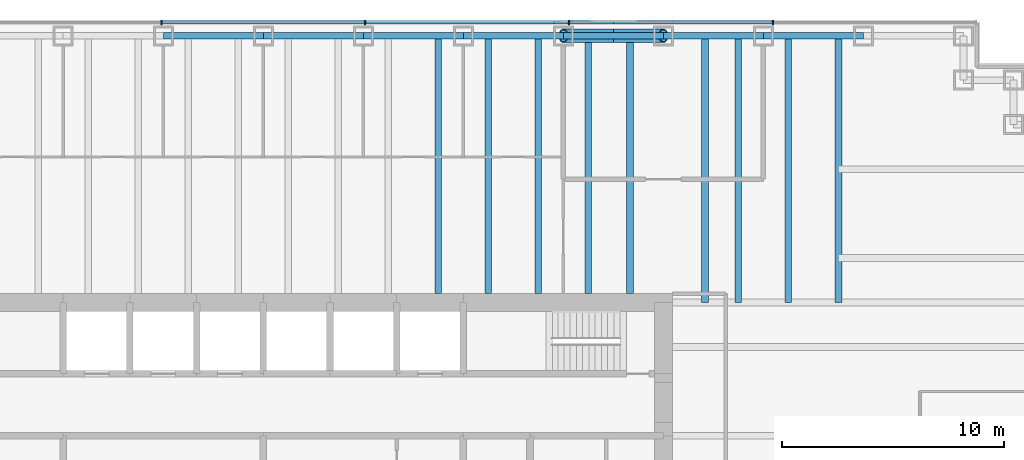
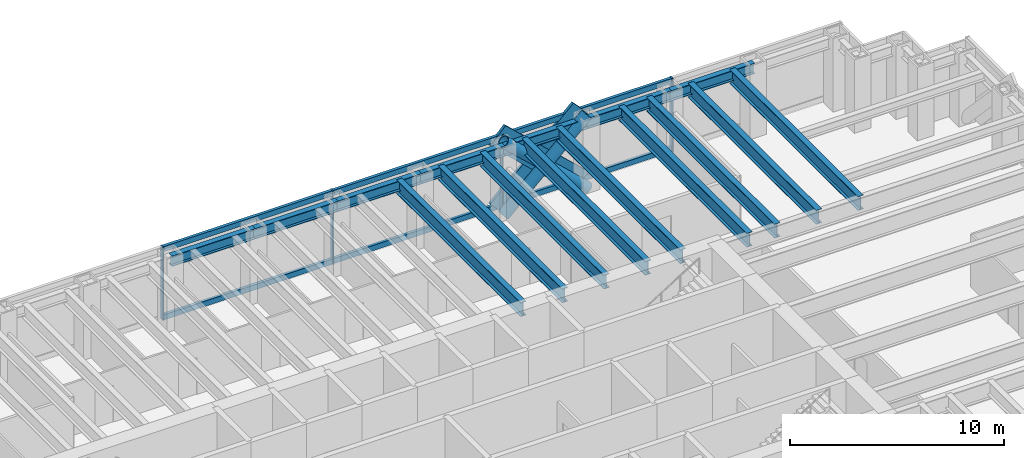
# One storey, part 6 of 14: 16 beams, 14 members, 1 element without a shape of its own.
"""IFC4 building model written with IfcOpenShell, lengths in metres."""

from ifc_helpers import new_model, si_unit, direction, frame, origin, origin_2d, place, context, subcontext, project, spatial, rectangle, hollow_circle, i_section, extrude, material, material_profile, profile_set, type_object, element, aggregate, save


model = new_model("IFC4")

# Units and contexts
model_context = context("Model", 3, precision=1e-05, world=origin(), true_north=direction((0.0, 1.0)))
body_context = subcontext(model_context, "Body", "Model", "MODEL_VIEW")
ifc_project = project(units=[si_unit("LENGTHUNIT", "METRE"), si_unit("AREAUNIT", "SQUARE_METRE"), si_unit("VOLUMEUNIT", "CUBIC_METRE"), si_unit("PLANEANGLEUNIT", "RADIAN"), si_unit("MASSUNIT", "GRAM", prefix="KILO")], contexts=[model_context])

# Site, building, storey
site_placement = place(None, origin())
site = spatial("IfcSite", under=ifc_project, at=site_placement, CompositionType="ELEMENT")
building_placement = place(site_placement, origin())
building = spatial("IfcBuilding", under=site, at=building_placement, Name="Rheinbord Bourse Tower", CompositionType="ELEMENT")
storey_placement = place(building_placement, frame((0.0, 0.0, 198.39990234375)))
storey = spatial("IfcBuildingStorey", under=building, at=storey_placement, Name="L44", CompositionType="ELEMENT", Elevation=198.39990234375)

# Curtain wall, members
ifc_material_1 = material(Name="Dark glass and black aluminium", Category="aluminium")
curtain_wall_type = type_object("IfcCurtainWallType", Name="CW2 DARK GLASS CURTAIN WALL", PredefinedType="USERDEFINED", material=ifc_material_1)
curtain_wall_placement = place(storey_placement, origin())
curtain_wall = element("IfcCurtainWall", 1, at=curtain_wall_placement, inside=storey, type_object=curtain_wall_type, Name="Curtain wall CW2 N L44", ObjectType="UNITISED CURTAIN WALL", PredefinedType="USERDEFINED")
ifc_material_2 = material(Name="Black anodised aluminium", Category="aluminium")
ifc_material_profile_1 = material_profile(ifc_material_2, rectangle(XDim=0.159912109375, YDim=1.2099609375, at=origin_2d()), Name="CW2 DIAGONAL MULLION 1210x160")
ifc_profile_set_1 = profile_set([ifc_material_profile_1], Name="Black anodised aluminium")
member_type_1 = type_object("IfcMemberType", Name="CW2 BLACK DIAGONAL MULLION", PredefinedType="USERDEFINED", material=ifc_profile_set_1)
member_1_placement = place(storey_placement, frame((54.0, 44.60009765625, 0.0), z_axis=(-0.731039441158, 0.0, 0.682335207557), x_axis=(0.0, -1.0, 0.0)))
member_1 = element("IfcMember", 2, at=member_1_placement, type_object=member_type_1, Name="CW2 diagonal mullion a", ObjectType="DIAGONAL MULLION", PredefinedType="USERDEFINED", context=body_context, shape_type="SweptSolid", body=[
    extrude(rectangle(XDim=0.159912109375, YDim=1.2099609375, at=origin_2d()), origin(), (0.0, 0.0, 1.0), 6.155517578125),
])
member_2_placement = place(storey_placement, frame((49.5, 44.60009765625, 0.0), z_axis=(0.731039441158, 0.0, 0.682335207557), x_axis=(0.0, 1.0, 0.0)))
member_2 = element("IfcMember", 3, at=member_2_placement, type_object=member_type_1, Name="CW2 diagonal mullion d", ObjectType="DIAGONAL MULLION", PredefinedType="USERDEFINED", context=body_context, shape_type="SweptSolid", body=[
    extrude(rectangle(XDim=0.159912109375, YDim=1.2099609375, at=origin_2d()), origin(), (0.0, 0.0, 1.0), 6.155517578125),
])
ifc_material_3 = material(Name="Black anodised aluminium", Category="aluminium")
ifc_material_profile_2 = material_profile(ifc_material_3, rectangle(XDim=0.219970703125, YDim=0.070068359375, at=origin_2d()), Name="CW2 MULLION 70x220")
ifc_profile_set_2 = profile_set([ifc_material_profile_2], Name="Black anodised aluminium")
member_type_2 = type_object("IfcMemberType", Name="CW2 BLACK MULLION", PredefinedType="MULLION", material=ifc_profile_set_2)
member_3_placement = place(storey_placement, frame((58.928466796875, 44.60009765625, 0.0), z_axis=(0.0, 0.0, 1.0), x_axis=(0.0, -1.0, 0.0)))
member_3 = element("IfcMember", 4, at=member_3_placement, type_object=member_type_2, Name="CW2 mullion 2", PredefinedType="MULLION", context=body_context, shape_type="SweptSolid", body=[
    extrude(rectangle(XDim=0.219970703125, YDim=0.070068359375, at=origin_2d()), origin(), (0.0, 0.0, 1.0), 4.2001953125),
])
member_4_placement = place(storey_placement, frame((49.757080078125, 44.60009765625, 0.0), z_axis=(0.0, 0.0, 1.0), x_axis=(0.0, -1.0, 0.0)))
member_4 = element("IfcMember", 5, at=member_4_placement, type_object=member_type_2, Name="CW2 mullion 3", PredefinedType="MULLION", context=body_context, shape_type="SweptSolid", body=[
    extrude(rectangle(XDim=0.219970703125, YDim=0.070068359375, at=origin_2d()), origin(), (0.0, 0.0, 1.0), 4.2001953125),
])
member_5_placement = place(storey_placement, frame((40.585693359375, 44.60009765625, 0.0), z_axis=(0.0, 0.0, 1.0), x_axis=(0.0, -1.0, 0.0)))
member_5 = element("IfcMember", 6, at=member_5_placement, type_object=member_type_2, Name="CW2 mullion 4", PredefinedType="MULLION", context=body_context, shape_type="SweptSolid", body=[
    extrude(rectangle(XDim=0.219970703125, YDim=0.070068359375, at=origin_2d()), origin(), (0.0, 0.0, 1.0), 4.2001953125),
])
member_6_placement = place(storey_placement, frame((31.414306640625, 44.60009765625, 0.0), z_axis=(0.0, 0.0, 1.0), x_axis=(0.0, -1.0, 0.0)))
member_6 = element("IfcMember", 7, at=member_6_placement, type_object=member_type_2, Name="CW2 mullion 5", PredefinedType="MULLION", context=body_context, shape_type="SweptSolid", body=[
    extrude(rectangle(XDim=0.219970703125, YDim=0.070068359375, at=origin_2d()), origin(), (0.0, 0.0, 1.0), 4.2001953125),
])
ifc_material_4 = material(Name="Black anodised aluminium", Category="aluminium")
ifc_material_profile_3 = material_profile(ifc_material_4, rectangle(XDim=0.159912109375, YDim=0.300048828125, at=origin_2d()), Name="CW2 TRANSOM 300x160")
ifc_profile_set_3 = profile_set([ifc_material_profile_3], Name="Black anodised aluminium")
member_type_3 = type_object("IfcMemberType", Name="CW2 BLACK TRANSOM", PredefinedType="USERDEFINED", material=ifc_profile_set_3)
member_7_placement = place(storey_placement, frame((58.8935546875, 44.60009765625, 0.150146484375), z_axis=(-1.0, 0.0, 0.0), x_axis=(0.0, -1.0, 0.0)))
member_7 = element("IfcMember", 8, at=member_7_placement, type_object=member_type_3, Name="CW2 transom 2.1", ObjectType="TRANSOM", PredefinedType="USERDEFINED", context=body_context, shape_type="SweptSolid", body=[
    extrude(rectangle(XDim=0.159912109375, YDim=0.300048828125, at=origin_2d()), origin(), (0.0, 0.0, 1.0), 9.101318359375),
])
member_8_placement = place(storey_placement, frame((58.8935546875, 44.60009765625, 4.050048828125), z_axis=(-1.0, 0.0, 0.0), x_axis=(0.0, -1.0, 0.0)))
member_8 = element("IfcMember", 9, at=member_8_placement, type_object=member_type_3, Name="CW2 transom 2.2", ObjectType="TRANSOM", PredefinedType="USERDEFINED", context=body_context, shape_type="SweptSolid", body=[
    extrude(rectangle(XDim=0.159912109375, YDim=0.300048828125, at=origin_2d()), origin(), (0.0, 0.0, 1.0), 9.101318359375),
])
member_9_placement = place(storey_placement, frame((49.72216796875, 44.60009765625, 0.150146484375), z_axis=(-1.0, 0.0, 0.0), x_axis=(0.0, -1.0, 0.0)))
member_9 = element("IfcMember", 10, at=member_9_placement, type_object=member_type_3, Name="CW2 transom 3.1", ObjectType="TRANSOM", PredefinedType="USERDEFINED", context=body_context, shape_type="SweptSolid", body=[
    extrude(rectangle(XDim=0.159912109375, YDim=0.300048828125, at=origin_2d()), origin(), (0.0, 0.0, 1.0), 9.1015625),
])
member_10_placement = place(storey_placement, frame((49.72216796875, 44.60009765625, 4.050048828125), z_axis=(-1.0, 0.0, 0.0), x_axis=(0.0, -1.0, 0.0)))
member_10 = element("IfcMember", 11, at=member_10_placement, type_object=member_type_3, Name="CW2 transom 3.2", ObjectType="TRANSOM", PredefinedType="USERDEFINED", context=body_context, shape_type="SweptSolid", body=[
    extrude(rectangle(XDim=0.159912109375, YDim=0.300048828125, at=origin_2d()), origin(), (0.0, 0.0, 1.0), 9.1015625),
])
member_11_placement = place(storey_placement, frame((40.55078125, 44.60009765625, 0.150146484375), z_axis=(-1.0, 0.0, 0.0), x_axis=(0.0, -1.0, 0.0)))
member_11 = element("IfcMember", 12, at=member_11_placement, type_object=member_type_3, Name="CW2 transom 4.1", ObjectType="TRANSOM", PredefinedType="USERDEFINED", context=body_context, shape_type="SweptSolid", body=[
    extrude(rectangle(XDim=0.159912109375, YDim=0.300048828125, at=origin_2d()), origin(), (0.0, 0.0, 1.0), 9.1015625),
])
member_12_placement = place(storey_placement, frame((40.55078125, 44.60009765625, 4.050048828125), z_axis=(-1.0, 0.0, 0.0), x_axis=(0.0, -1.0, 0.0)))
member_12 = element("IfcMember", 13, at=member_12_placement, type_object=member_type_3, Name="CW2 transom 4.2", ObjectType="TRANSOM", PredefinedType="USERDEFINED", context=body_context, shape_type="SweptSolid", body=[
    extrude(rectangle(XDim=0.159912109375, YDim=0.300048828125, at=origin_2d()), origin(), (0.0, 0.0, 1.0), 9.1015625),
])
aggregate(curtain_wall, [member_3, member_4, member_5, member_6, member_7, member_8, member_9, member_10, member_11, member_12, member_1, member_2])

# Beams
ifc_material_5 = material(Name="Steel S460", Category="steel")
ifc_material_profile_4 = material_profile(ifc_material_5, i_section(OverallWidth=0.300048828125, OverallDepth=0.800048828125, WebThickness=0.017578125, FlangeThickness=0.032958984375, at=origin_2d()), Name="HEB 800")
ifc_profile_set_4 = profile_set([ifc_material_profile_4], Name="Steel S460")
beam_type_1 = type_object("IfcBeamType", Name="FLOOR BEAM HEB 800", PredefinedType="BEAM", material=ifc_profile_set_4)
for number, where, z_axis, x_axis, name in (
    (14, (43.875, 44.0, 3.64013671875), (0.0, -1.0, 0.0), (1.0, 0.0, 0.0), "Floor beam N-40.5b L45"),
    (15, (46.125, 44.0, 3.64013671875), (0.0, -1.0, 0.0), (1.0, 0.0, 0.0), "Floor beam N-45a L45"),
    (16, (48.375, 44.0, 3.64013671875), (0.0, -1.0, 0.0), (1.0, 0.0, 0.0), "Floor beam N-45b L45"),
    (17, (50.625, 44.0, 3.64013671875), (0.0, -1.0, 0.0), (1.0, 0.0, 0.0), "Floor beam N-49.5a L45"),
    (18, (52.5, 44.0, 3.64013671875), (0.0, -1.0, 0.0), (1.0, 0.0, 0.0), "Floor beam N-49.5b L45"),
):
    element("IfcBeam", number, at=place(storey_placement, frame(where, z_axis=z_axis, x_axis=x_axis)), inside=storey, type_object=beam_type_1, Name=name, PredefinedType="BEAM", context=body_context, shape_type="SweptSolid", body=[
        extrude(i_section(OverallWidth=0.300048828125, OverallDepth=0.800048828125, WebThickness=0.017578125, FlangeThickness=0.032958984375, at=origin_2d()), origin(), (0.0, 0.0, 1.0), 11.60009765625),
    ])
for number, where, z_axis, x_axis, name in (
    (19, (55.875, 44.0, 3.64013671875), (0.0, -1.0, 0.0), (1.0, 0.0, 0.0), "Floor beam N-54a L45"),
    (20, (57.375, 44.0, 3.64013671875), (0.0, -1.0, 0.0), (1.0, 0.0, 0.0), "Floor beam N-54b L45"),
    (21, (59.625, 44.0, 3.64013671875), (0.0, -1.0, 0.0), (1.0, 0.0, 0.0), "Floor beam N-58.5a L45"),
    (22, (61.875, 44.0, 3.64013671875), (0.0, -1.0, 0.0), (1.0, 0.0, 0.0), "Floor beam N-58.5b L45"),
):
    element("IfcBeam", number, at=place(storey_placement, frame(where, z_axis=z_axis, x_axis=x_axis)), inside=storey, type_object=beam_type_1, Name=name, PredefinedType="BEAM", context=body_context, shape_type="SweptSolid", body=[
        extrude(i_section(OverallWidth=0.300048828125, OverallDepth=0.800048828125, WebThickness=0.017578125, FlangeThickness=0.032958984375, at=origin_2d()), origin(), (0.0, 0.0, 1.0), 12.0),
    ])

# Members
ifc_material_6 = material(Name="Steel S460", Category="steel")
ifc_material_profile_5 = material_profile(ifc_material_6, hollow_circle(Radius=0.304931640625, WallThickness=0.0400390625, at=origin_2d()), Name="CHS 610x40")
ifc_profile_set_5 = profile_set([ifc_material_profile_5], Name="Steel S460")
member_type_4 = type_object("IfcMemberType", Name="MEGABRACE CHS 610x40", PredefinedType="BRACE", material=ifc_profile_set_5)
for number, where, z_axis, x_axis, name in (
    (23, (54.0, 44.0, 0.0), (-0.731039441158, 0.0, 0.682335207557), (0.0, -1.0, 0.0), "Megabrace N face line a L44"),
    (24, (49.5, 44.0, 0.0), (0.731039441158, 0.0, 0.682335207557), (0.0, 1.0, 0.0), "Megabrace N face line d L44"),
):
    element("IfcMember", number, at=place(storey_placement, frame(where, z_axis=z_axis, x_axis=x_axis)), inside=storey, type_object=member_type_4, Name=name, PredefinedType="BRACE", context=body_context, shape_type="SweptSolid", body=[
        extrude(hollow_circle(Radius=0.304931640625, WallThickness=0.0400390625, at=origin_2d()), origin(), (0.0, 0.0, 1.0), 6.155517578125),
    ])

# Beams
ifc_material_7 = material(Name="Steel S460", Category="steel")
ifc_material_profile_6 = material_profile(ifc_material_7, i_section(OverallWidth=0.300048828125, OverallDepth=0.60009765625, WebThickness=0.015380859375, FlangeThickness=0.030029296875, at=origin_2d()), Name="HEB 600")
ifc_profile_set_6 = profile_set([ifc_material_profile_6], Name="Steel S460")
beam_type_2 = type_object("IfcBeamType", Name="SPANDREL HEB 600", PredefinedType="SPANDREL", material=ifc_profile_set_6)
for number, where, z_axis, x_axis, name in (
    (25, (63.0, 44.0, 3.739990234375), (-1.0, 0.0, 0.0), (0.0, -1.0, 0.0), "Spandrel N-63-N-58.5 under L45"),
    (26, (58.5, 44.0, 3.739990234375), (-1.0, 0.0, 0.0), (0.0, -1.0, 0.0), "Spandrel N-58.5-N-54 under L45"),
    (27, (54.0, 44.0, 3.739990234375), (-1.0, 0.0, 0.0), (0.0, -1.0, 0.0), "Spandrel N-54-N-49.5 under L45"),
    (28, (49.5, 44.0, 3.739990234375), (-1.0, 0.0, 0.0), (0.0, -1.0, 0.0), "Spandrel N-49.5-N-45 under L45"),
    (29, (45.0, 44.0, 3.739990234375), (-1.0, 0.0, 0.0), (0.0, -1.0, 0.0), "Spandrel N-45-N-40.5 under L45"),
    (30, (40.5, 44.0, 3.739990234375), (-1.0, 0.0, 0.0), (0.0, -1.0, 0.0), "Spandrel N-40.5-N-36 under L45"),
    (31, (36.0, 44.0, 3.739990234375), (-1.0, 0.0, 0.0), (0.0, -1.0, 0.0), "Spandrel N-36-N-31.5 under L45"),
):
    element("IfcBeam", number, at=place(storey_placement, frame(where, z_axis=z_axis, x_axis=x_axis)), inside=storey, type_object=beam_type_2, Name=name, PredefinedType="SPANDREL", context=body_context, shape_type="SweptSolid", body=[
        extrude(i_section(OverallWidth=0.300048828125, OverallDepth=0.60009765625, WebThickness=0.015380859375, FlangeThickness=0.030029296875, at=origin_2d()), origin(), (0.0, 0.0, 1.0), 4.5),
    ])

save(model, "model.ifc")
